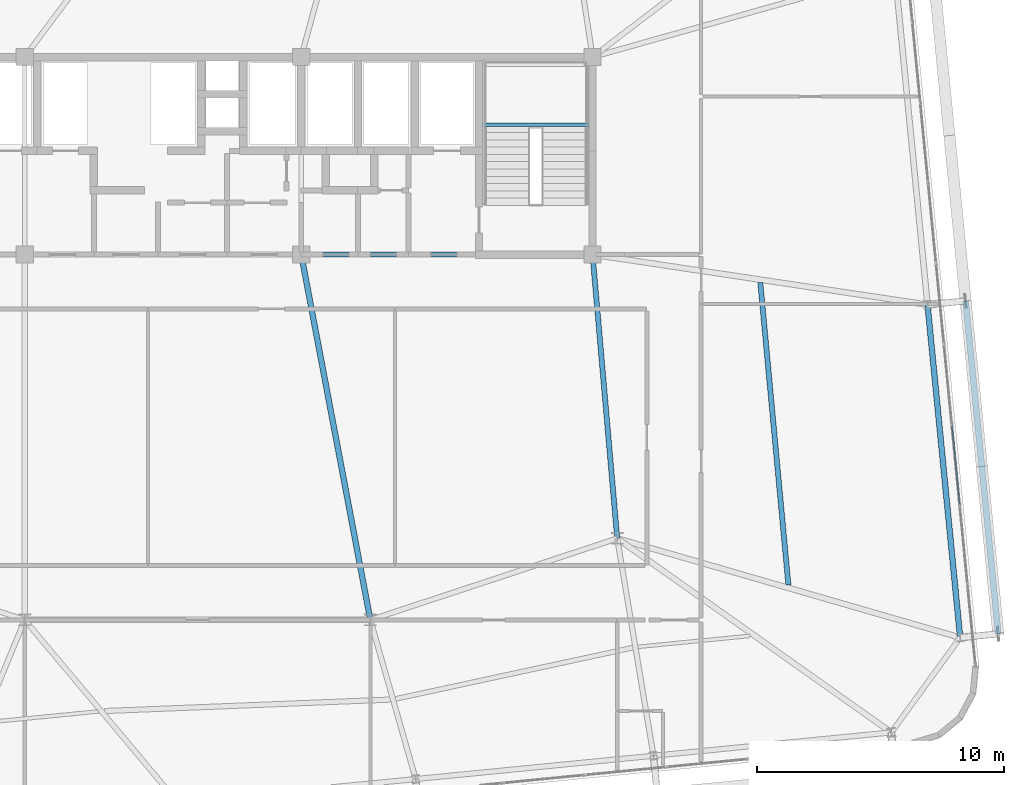
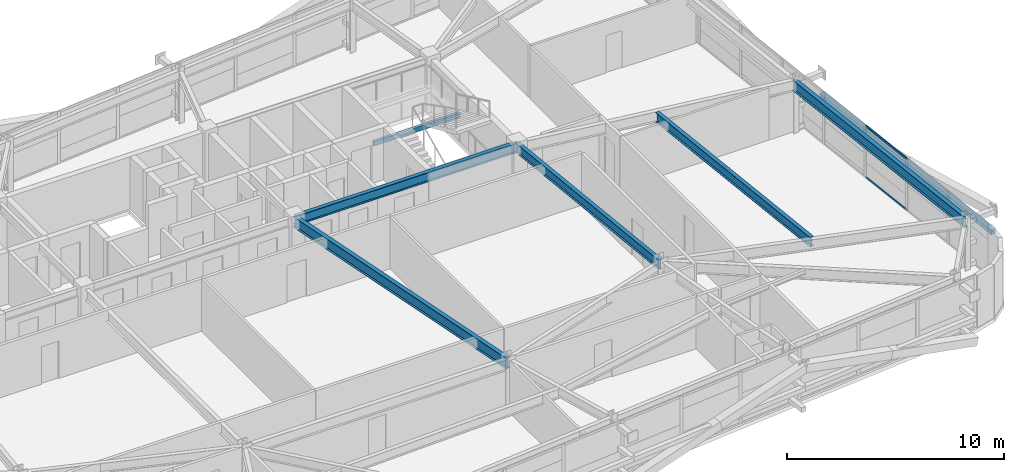
# One storey, part 23 of 53: 6 beams, 3 members, 1 element without a shape of its own.
"""IFC4 building model written with IfcOpenShell, lengths in metres."""

from ifc_helpers import new_model, si_unit, direction, frame, origin, origin_2d, place, context, subcontext, project, spatial, hollow_rectangle, i_section, extrude, source, transform, mapped, material, layer, layer_set, material_profile, profile_set, type_object, element, aggregate, save


model = new_model("IFC4")

# Units and contexts
model_context = context("Model", 3, precision=1e-05, world=origin(), true_north=direction((0.0, 1.0)))
body_context = subcontext(model_context, "Body", "Model", "MODEL_VIEW")
ifc_project = project(units=[si_unit("LENGTHUNIT", "METRE"), si_unit("AREAUNIT", "SQUARE_METRE"), si_unit("VOLUMEUNIT", "CUBIC_METRE"), si_unit("PLANEANGLEUNIT", "RADIAN"), si_unit("MASSUNIT", "GRAM", prefix="KILO")], contexts=[model_context])

# Site, building, storey
site_placement = place(None, origin())
site = spatial("IfcSite", under=ifc_project, at=site_placement, CompositionType="ELEMENT")
building_placement = place(site_placement, origin())
building = spatial("IfcBuilding", under=site, at=building_placement, Name="Taldren Reach Tower", CompositionType="ELEMENT")
storey_placement = place(building_placement, frame((0.0, 0.0, 84.0)))
storey = spatial("IfcBuildingStorey", under=building, at=storey_placement, Name="L25", CompositionType="ELEMENT", Elevation=84.0)

# Beams
ifc_material_1 = material(Name="Steel Gr 350 (350PLUS)", Category="steel")
ifc_material_profile_1 = material_profile(ifc_material_1, i_section(OverallWidth=0.208984375, OverallDepth=0.532958984375, WebThickness=0.01025390625, FlangeThickness=0.015625, at=origin_2d()), Name="530UB92.4")
ifc_profile_set_1 = profile_set([ifc_material_profile_1], Name="Steel Gr 350 (350PLUS)")
beam_type_1 = type_object("IfcBeamType", Name="BM-UB530A", PredefinedType="BEAM", material=ifc_profile_set_1)
shared_shape_1 = source(origin(), body_context, "Body", "SweptSolid", [
    extrude(i_section(OverallWidth=0.208984375, OverallDepth=0.532958984375, WebThickness=0.01025390625, FlangeThickness=0.015625, at=origin_2d()), origin(), (0.0, 0.0, 1.0), 11.800048828125),
])
beam_1_placement = place(storey_placement, frame((39.199951171875, 24.0, 2.66357421875), z_axis=(1.0, 0.0, 0.0), x_axis=(0.0, 1.0, 0.0)))
element("IfcBeam", 1, at=beam_1_placement, inside=storey, type_object=beam_type_1, Name="Core-spine girder L25-SP03", PredefinedType="BEAM", context=body_context, shape_type="MappedRepresentation", body=[
    mapped(shared_shape_1, transform((0.0, 0.0, 0.0), scale=1.0)),
])
shared_shape_2 = source(origin(), body_context, "Body", "SweptSolid", [
    extrude(i_section(OverallWidth=0.208984375, OverallDepth=0.532958984375, WebThickness=0.01025390625, FlangeThickness=0.015625, at=origin_2d()), origin(), (0.0, 0.0, 1.0), 11.54345703125),
])
beam_2_placement = place(storey_placement, frame((52.0, 12.5, 2.66357421875), z_axis=(-0.086629616365, 0.996240588196, 0.0), x_axis=(-0.996240588196, -0.086629616365, 0.0)))
element("IfcBeam", 2, at=beam_2_placement, inside=storey, type_object=beam_type_1, Name="Core-spine girder L25-SP13", PredefinedType="BEAM", context=body_context, shape_type="MappedRepresentation", body=[
    mapped(shared_shape_2, transform((0.0, 0.0, 0.0), scale=1.0)),
])
ifc_material_profile_2 = material_profile(ifc_material_1, i_section(OverallWidth=0.22802734375, OverallDepth=0.60205078125, WebThickness=0.010498046875, FlangeThickness=0.014892578125, at=origin_2d()), Name="610UB101")
ifc_profile_set_2 = profile_set([ifc_material_profile_2], Name="Steel Gr 350 (350PLUS)")
beam_type_2 = type_object("IfcBeamType", Name="BM-UB610B", PredefinedType="BEAM", material=ifc_profile_set_2)
shared_shape_3 = source(origin(), body_context, "Body", "SweptSolid", [
    extrude(i_section(OverallWidth=0.22802734375, OverallDepth=0.60205078125, WebThickness=0.010498046875, FlangeThickness=0.014892578125, at=origin_2d()), origin(), (0.0, 0.0, 1.0), 15.0625),
])
beam_3_placement = place(storey_placement, frame((39.199951171875, 24.0, 2.62890625), z_axis=(0.185894205668, -0.982569765614, 0.0), x_axis=(0.982569765614, 0.185894205668, 0.0)))
element("IfcBeam", 3, at=beam_3_placement, inside=storey, type_object=beam_type_2, Name="Core-spine girder L25-SP15", PredefinedType="BEAM", context=body_context, shape_type="MappedRepresentation", body=[
    mapped(shared_shape_3, transform((0.0, 0.0, 0.0), scale=1.0)),
])
shared_shape_4 = source(origin(), body_context, "Body", "SweptSolid", [
    extrude(i_section(OverallWidth=0.22802734375, OverallDepth=0.60205078125, WebThickness=0.010498046875, FlangeThickness=0.014892578125, at=origin_2d()), origin(), (0.0, 0.0, 1.0), 13.550048828125),
])
beam_4_placement = place(storey_placement, frame((65.8916015625, 8.483642578125, 2.62890625), z_axis=(-0.097566175139, 0.995229039703, 0.0), x_axis=(-0.995229039703, -0.097566175139, 0.0)))
element("IfcBeam", 4, at=beam_4_placement, inside=storey, type_object=beam_type_2, Name="Perimeter gable girder B2 E1-E2 L25", PredefinedType="BEAM", context=body_context, shape_type="MappedRepresentation", body=[
    mapped(shared_shape_4, transform((0.0, 0.0, 0.0), scale=1.0)),
])
shared_shape_5 = source(origin(), body_context, "Body", "SweptSolid", [
    extrude(i_section(OverallWidth=0.208984375, OverallDepth=0.532958984375, WebThickness=0.01025390625, FlangeThickness=0.015625, at=origin_2d()), origin(), (0.0, 0.0, 1.0), 12.306396484375),
])
beam_5_placement = place(storey_placement, frame((58.9345703125, 10.61376953125, 2.66357421875), z_axis=(-0.092546068089, 0.995708403741, 0.0), x_axis=(-0.995708403741, -0.092546068089, 0.0)))
element("IfcBeam", 5, at=beam_5_placement, inside=storey, type_object=beam_type_1, Name="Secondary floor beam B2 J7 L25", PredefinedType="BEAM", context=body_context, shape_type="MappedRepresentation", body=[
    mapped(shared_shape_5, transform((0.0, 0.0, 0.0), scale=1.0)),
])

# Member
ifc_material_2 = material(Name="Steel Gr 350 (C350L0)", Category="steel")
ifc_material_profile_3 = material_profile(ifc_material_2, hollow_rectangle(XDim=0.25, YDim=0.25, WallThickness=0.010009765625, at=origin_2d()), Name="250x250x10.0SHS")
ifc_profile_set_3 = profile_set([ifc_material_profile_3], Name="Steel Gr 350 (C350L0)")
member_type_1 = type_object("IfcMemberType", Name="MB-POST250", PredefinedType="POST", material=ifc_profile_set_3)
shared_shape_6 = source(origin(), body_context, "Body", "SweptSolid", [
    extrude(hollow_rectangle(XDim=0.25, YDim=0.25, WallThickness=0.010009765625, at=origin_2d()), origin(), (0.0, 0.0, 1.0), 13.550048828125),
])
member_1_placement = place(storey_placement, frame((67.434326171875, 8.634765625, 1.43505859375), z_axis=(-0.097584021339, 0.995227290009, 0.0), x_axis=(-0.995227290009, -0.097584021339, 0.0)))
element("IfcMember", 6, at=member_1_placement, inside=storey, type_object=member_type_1, Name="Exoskeleton mid-height ring chord B2-E1 L25", PredefinedType="POST", context=body_context, shape_type="MappedRepresentation", body=[
    mapped(shared_shape_6, transform((0.0, 0.0, 0.0), scale=1.0)),
])

# Curtain wall, members
ifc_material_3 = material(Name="Aluminium and Low-E Glass Unitised System", Category="aluminium")
ifc_layer = layer(ifc_material_3, 0.159912109375)
ifc_layer_set = layer_set([ifc_layer], Name="Aluminium and Low-E Glass Unitised System")
curtain_wall_type = type_object("IfcCurtainWallType", Name="CW-SYS-3", PredefinedType="NOTDEFINED", material=ifc_layer_set)
curtain_wall_placement = place(storey_placement, origin())
curtain_wall = element("IfcCurtainWall", 7, at=curtain_wall_placement, inside=storey, type_object=curtain_wall_type, Name="Unitised curtain wall CW-L25-E", PredefinedType="NOTDEFINED")
ifc_material_4 = material(Name="Anodised Aluminium 6063-T6", Category="aluminium")
ifc_material_profile_4 = material_profile(ifc_material_4, hollow_rectangle(XDim=0.054931640625, YDim=0.1201171875, WallThickness=0.0029296875, at=origin_2d()), Name="ALU-120x55x3RHS")
ifc_profile_set_4 = profile_set([ifc_material_profile_4], Name="Anodised Aluminium 6063-T6")
member_type_2 = type_object("IfcMemberType", Name="CW-TRN-135", PredefinedType="USERDEFINED", material=ifc_profile_set_4)
shared_shape_7 = source(origin(), body_context, "Body", "SweptSolid", [
    extrude(hollow_rectangle(XDim=0.054931640625, YDim=0.1201171875, WallThickness=0.0029296875, at=origin_2d()), origin(), (0.0, 0.0, 1.0), 3.212646484375),
])
member_2_placement = place(storey_placement, frame((65.87353515625, 13.895751953125, 0.027587890625), z_axis=(-0.097577327663, 0.995227946315, 0.0), x_axis=(-0.995227946315, -0.097577327663, 0.0)))
member_2 = element("IfcMember", 8, at=member_2_placement, type_object=member_type_2, Name="CW-3 transom 3.1", ObjectType="TRANSOM", PredefinedType="USERDEFINED", context=body_context, shape_type="MappedRepresentation", body=[
    mapped(shared_shape_7, transform((0.0, 0.0, 0.0), scale=1.0)),
])
member_3_placement = place(storey_placement, frame((65.87353515625, 13.895751953125, 2.902587890625), z_axis=(-0.097577327663, 0.995227946315, 0.0), x_axis=(-0.995227946315, -0.097577327663, 0.0)))
member_3 = element("IfcMember", 9, at=member_3_placement, type_object=member_type_2, Name="CW-3 transom 3.2", ObjectType="TRANSOM", PredefinedType="USERDEFINED", context=body_context, shape_type="MappedRepresentation", body=[
    mapped(shared_shape_7, transform((0.0, 0.0, 0.0), scale=1.0)),
])
aggregate(curtain_wall, [member_2, member_3])

# Beam
ifc_material_profile_5 = material_profile(ifc_material_2, hollow_rectangle(XDim=0.14990234375, YDim=0.25, WallThickness=0.009033203125, at=origin_2d()), Name="250x150x9.0RHS")
ifc_profile_set_5 = profile_set([ifc_material_profile_5], Name="Steel Gr 350 (C350L0)")
beam_type_3 = type_object("IfcBeamType", Name="LN-RHS250", PredefinedType="LINTEL", material=ifc_profile_set_5)
shared_shape_8 = source(origin(), body_context, "Body", "SweptSolid", [
    extrude(hollow_rectangle(XDim=0.14990234375, YDim=0.25, WallThickness=0.009033203125, at=origin_2d()), origin(), (0.0, 0.0, 1.0), 4.60009765625),
])
beam_6_placement = place(storey_placement, frame((46.39990234375, 29.2548828125, 1.27001953125), z_axis=(1.0, 0.0, 0.0), x_axis=(0.0, 1.0, 0.0)))
element("IfcBeam", 10, at=beam_6_placement, inside=storey, type_object=beam_type_3, Name="Stair half-landing support beam ST2-L25-1", PredefinedType="LINTEL", context=body_context, shape_type="MappedRepresentation", body=[
    mapped(shared_shape_8, transform((0.0, 0.0, 0.0), scale=1.0)),
])

save(model, "model.ifc")
